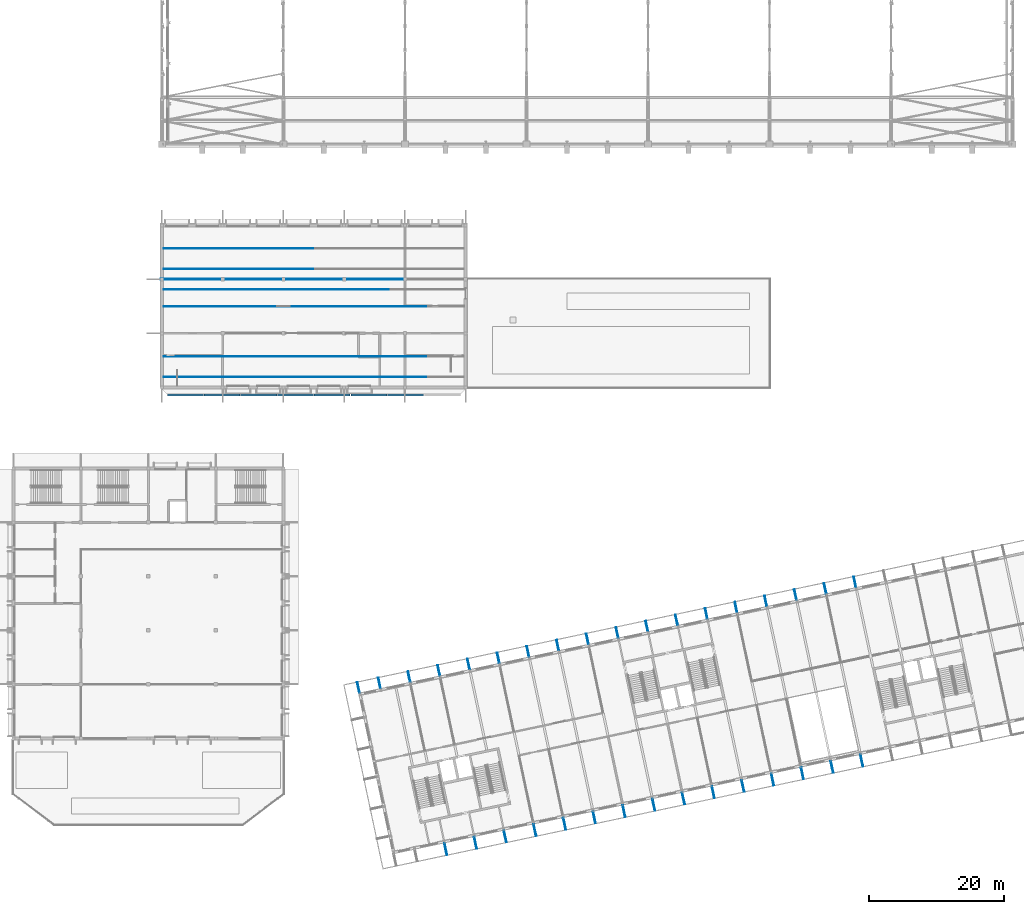
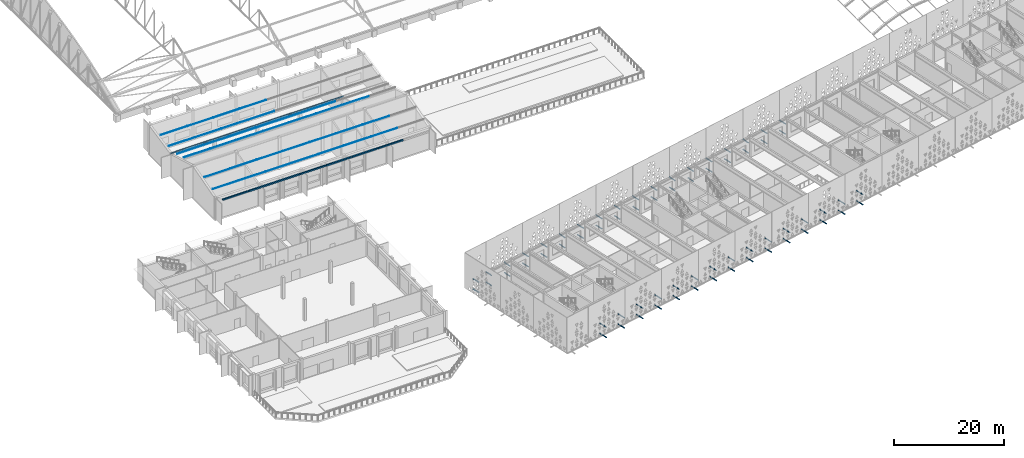
# One storey, part 133 of 196: 112 discrete accessories.
"""IFC4 building model written with IfcOpenShell, lengths in metres."""

from ifc_helpers import new_model, si_unit, direction, frame, origin, origin_2d, place, context, subcontext, project, spatial, polyline, rectangle, outline, extrude, material, material_profile, profile_set, type_object, element, save


model = new_model("IFC4")

# Units and contexts
model_context = context("Model", 3, precision=1e-05, world=origin(), true_north=direction((0.0, 1.0)))
body_context = subcontext(model_context, "Body", "Model", "MODEL_VIEW")
ifc_project = project(units=[si_unit("LENGTHUNIT", "METRE"), si_unit("AREAUNIT", "SQUARE_METRE"), si_unit("VOLUMEUNIT", "CUBIC_METRE"), si_unit("PLANEANGLEUNIT", "RADIAN"), si_unit("MASSUNIT", "GRAM", prefix="KILO")], contexts=[model_context])

# Site, building, storey
site_placement = place(None, origin())
site = spatial("IfcSite", under=ifc_project, at=site_placement, CompositionType="ELEMENT")
building_placement = place(site_placement, origin())
building = spatial("IfcBuilding", under=site, at=building_placement, Name="Okhra Congress Centre", CompositionType="ELEMENT")
storey_placement = place(building_placement, frame((0.0, 0.0, 12.0)))
storey = spatial("IfcBuildingStorey", under=building, at=storey_placement, Name="L02", CompositionType="ELEMENT", Elevation=12.0)

# Discrete accessories
ifc_material_1 = material(Name="Stainless steel box gutter with self-regulating heating cable", Category="steel")
discrete_accessory_type_1 = type_object("IfcDiscreteAccessoryType", Name="Heated eaves gutter 300x300", PredefinedType="USERDEFINED", material=ifc_material_1)
for number, where, z_axis, x_axis, name in (
    (1, (31.46875, 94.85009765625, 4.51318359375), (0.0, 0.0, 1.0), (1.0, 0.0, 0.0), "Heated eaves gutter"),
    (2, (36.90625, 94.85009765625, 4.51318359375), (0.0, 0.0, 1.0), (1.0, 0.0, 0.0), "Heated eaves gutter"),
    (3, (42.34375, 94.85009765625, 4.51318359375), (0.0, 0.0, 1.0), (1.0, 0.0, 0.0), "Heated eaves gutter"),
    (4, (47.78125, 94.85009765625, 4.51318359375), (0.0, 0.0, 1.0), (1.0, 0.0, 0.0), "Heated eaves gutter"),
    (5, (53.21875, 94.85009765625, 4.51318359375), (0.0, 0.0, 1.0), (1.0, 0.0, 0.0), "Heated eaves gutter"),
    (6, (58.65625, 94.85009765625, 4.51318359375), (0.0, 0.0, 1.0), (1.0, 0.0, 0.0), "Heated eaves gutter"),
    (7, (64.09375, 94.85009765625, 4.51318359375), (0.0, 0.0, 1.0), (1.0, 0.0, 0.0), "Heated eaves gutter"),
):
    element("IfcDiscreteAccessory", number, at=place(storey_placement, frame(where, z_axis=z_axis, x_axis=x_axis)), inside=storey, type_object=discrete_accessory_type_1, Name=name, ObjectType="HEATED GUTTER", PredefinedType="USERDEFINED", context=body_context, shape_type="SweptSolid", body=[
        extrude(rectangle(XDim=5.33740234375, YDim=0.300048828125, at=origin_2d()), origin(), (0.0, 0.0, 1.0), 0.300048828125),
    ])
discrete_accessory_type_2 = type_object("IfcDiscreteAccessoryType", Name="Heated valley gutter 140x200", PredefinedType="USERDEFINED", material=ifc_material_1)
for number, where, z_axis, x_axis, name in (
    (8, (32.300048828125, 112.0, 4.7998046875), (0.0, 0.0, 1.0), (1.0, 0.0, 0.0), "Heated valley gutter"),
    (9, (41.39990234375, 112.0, 4.7998046875), (0.0, 0.0, 1.0), (1.0, 0.0, 0.0), "Heated valley gutter"),
    (10, (50.5, 112.0, 4.7998046875), (0.0, 0.0, 1.0), (1.0, 0.0, 0.0), "Heated valley gutter"),
    (11, (59.60009765625, 112.0, 4.7998046875), (0.0, 0.0, 1.0), (1.0, 0.0, 0.0), "Heated valley gutter"),
):
    element("IfcDiscreteAccessory", number, at=place(storey_placement, frame(where, z_axis=z_axis, x_axis=x_axis)), inside=storey, type_object=discrete_accessory_type_2, Name=name, ObjectType="HEATED GUTTER", PredefinedType="USERDEFINED", context=body_context, shape_type="SweptSolid", body=[
        extrude(rectangle(XDim=9.0, YDim=0.139892578125, at=origin_2d()), origin(), (0.0, 0.0, 1.0), 0.199951171875),
    ])
ifc_material_2 = material(Name="Steel S355J2 outrigger, galvanised", Category="steel")
ifc_material_profile = material_profile(ifc_material_2, rectangle(XDim=0.1201171875, YDim=0.1201171875, at=origin_2d()), Name="Screen outrigger bracket 120x120")
ifc_profile_set = profile_set([ifc_material_profile], Name="Steel S355J2 outrigger, galvanised")
discrete_accessory_type_3 = type_object("IfcDiscreteAccessoryType", Name="Screen outrigger bracket 120x120", PredefinedType="BRACKET", material=ifc_profile_set)
for number, where, z_axis, x_axis, name in (
    (12, (57.271484375, 50.775390625, 0.81005859375), (-0.207952044176, 0.978139022493, 0.0), (-0.978139022493, -0.207952044176, 0.0), "Screen outrigger 11"),
    (13, (57.271484375, 50.775390625, 3.070068359375), (-0.207952044176, 0.978139022493, 0.0), (-0.978139022493, -0.207952044176, 0.0), "Screen outrigger 12"),
    (14, (60.376953125, 51.435546875, 0.81005859375), (-0.207802780084, 0.978170744088, 0.0), (-0.978170744088, -0.207802780084, 0.0), "Screen outrigger 26"),
    (15, (60.376953125, 51.435546875, 3.070068359375), (-0.207802780084, 0.978170744088, 0.0), (-0.978170744088, -0.207802780084, 0.0), "Screen outrigger 27"),
):
    element("IfcDiscreteAccessory", number, at=place(storey_placement, frame(where, z_axis=z_axis, x_axis=x_axis)), inside=storey, type_object=discrete_accessory_type_3, Name=name, PredefinedType="BRACKET", context=body_context, shape_type="SweptSolid", body=[
        extrude(rectangle(XDim=0.1201171875, YDim=0.1201171875, at=origin_2d()), origin(), (0.0, 0.0, 1.0), 1.56494140625),
    ])
for number, where, z_axis, x_axis, name in (
    (16, (69.860107421875, 28.46533203125, 0.81005859375), (0.207885223274, -0.97815322621, 0.0), (0.97815322621, 0.207885223274, 0.0), "Screen outrigger 33"),
    (17, (69.860107421875, 28.46533203125, 3.070068359375), (0.207885223274, -0.97815322621, 0.0), (0.97815322621, 0.207885223274, 0.0), "Screen outrigger 34"),
):
    element("IfcDiscreteAccessory", number, at=place(storey_placement, frame(where, z_axis=z_axis, x_axis=x_axis)), inside=storey, type_object=discrete_accessory_type_3, Name=name, PredefinedType="BRACKET", context=body_context, shape_type="SweptSolid", body=[
        extrude(rectangle(XDim=0.1201171875, YDim=0.1201171875, at=origin_2d()), origin(), (0.0, 0.0, 1.0), 1.76513671875),
    ])
for number, where, z_axis, x_axis, name in (
    (18, (64.77880859375, 52.37109375, 0.81005859375), (-0.207920316953, 0.978145767152, 0.0), (-0.978145767152, -0.207920316953, 0.0), "Screen outrigger 41"),
    (19, (64.77880859375, 52.37109375, 3.070068359375), (-0.207920316953, 0.978145767152, 0.0), (-0.978145767152, -0.207920316953, 0.0), "Screen outrigger 42"),
):
    element("IfcDiscreteAccessory", number, at=place(storey_placement, frame(where, z_axis=z_axis, x_axis=x_axis)), inside=storey, type_object=discrete_accessory_type_3, Name=name, PredefinedType="BRACKET", context=body_context, shape_type="SweptSolid", body=[
        extrude(rectangle(XDim=0.1201171875, YDim=0.1201171875, at=origin_2d()), origin(), (0.0, 0.0, 1.0), 1.565185546875),
    ])
for number, where, z_axis, x_axis, name in (
    (20, (74.26171875, 29.40087890625, 0.81005859375), (0.207885223274, -0.97815322621, 0.0), (0.97815322621, 0.207885223274, 0.0), "Screen outrigger 48"),
    (21, (74.26171875, 29.40087890625, 3.070068359375), (0.207885223274, -0.97815322621, 0.0), (0.97815322621, 0.207885223274, 0.0), "Screen outrigger 49"),
):
    element("IfcDiscreteAccessory", number, at=place(storey_placement, frame(where, z_axis=z_axis, x_axis=x_axis)), inside=storey, type_object=discrete_accessory_type_3, Name=name, PredefinedType="BRACKET", context=body_context, shape_type="SweptSolid", body=[
        extrude(rectangle(XDim=0.1201171875, YDim=0.1201171875, at=origin_2d()), origin(), (0.0, 0.0, 1.0), 1.76513671875),
    ])
for number, where, z_axis, x_axis, name in (
    (22, (69.180419921875, 53.306884765625, 0.81005859375), (-0.207952044176, 0.978139022493, 0.0), (-0.978139022493, -0.207952044176, 0.0), "Screen outrigger 56"),
    (23, (69.180419921875, 53.306884765625, 3.070068359375), (-0.207952044176, 0.978139022493, 0.0), (-0.978139022493, -0.207952044176, 0.0), "Screen outrigger 57"),
):
    element("IfcDiscreteAccessory", number, at=place(storey_placement, frame(where, z_axis=z_axis, x_axis=x_axis)), inside=storey, type_object=discrete_accessory_type_3, Name=name, PredefinedType="BRACKET", context=body_context, shape_type="SweptSolid", body=[
        extrude(rectangle(XDim=0.1201171875, YDim=0.1201171875, at=origin_2d()), origin(), (0.0, 0.0, 1.0), 1.56494140625),
    ])
for number, where, z_axis, x_axis, name in (
    (24, (78.663330078125, 30.33642578125, 0.81005859375), (0.207913352163, -0.978147247602, 0.0), (0.978147247602, 0.207913352163, 0.0), "Screen outrigger 63"),
    (25, (78.663330078125, 30.33642578125, 3.070068359375), (0.207913352163, -0.978147247602, 0.0), (0.978147247602, 0.207913352163, 0.0), "Screen outrigger 64"),
):
    element("IfcDiscreteAccessory", number, at=place(storey_placement, frame(where, z_axis=z_axis, x_axis=x_axis)), inside=storey, type_object=discrete_accessory_type_3, Name=name, PredefinedType="BRACKET", context=body_context, shape_type="SweptSolid", body=[
        extrude(rectangle(XDim=0.1201171875, YDim=0.1201171875, at=origin_2d()), origin(), (0.0, 0.0, 1.0), 1.764892578125),
    ])
for number, where, z_axis, x_axis, name in (
    (26, (73.58203125, 54.242431640625, 0.81005859375), (-0.207952044176, 0.978139022493, 0.0), (-0.978139022493, -0.207952044176, 0.0), "Screen outrigger 71"),
    (27, (73.58203125, 54.242431640625, 3.070068359375), (-0.207952044176, 0.978139022493, 0.0), (-0.978139022493, -0.207952044176, 0.0), "Screen outrigger 72"),
):
    element("IfcDiscreteAccessory", number, at=place(storey_placement, frame(where, z_axis=z_axis, x_axis=x_axis)), inside=storey, type_object=discrete_accessory_type_3, Name=name, PredefinedType="BRACKET", context=body_context, shape_type="SweptSolid", body=[
        extrude(rectangle(XDim=0.1201171875, YDim=0.1201171875, at=origin_2d()), origin(), (0.0, 0.0, 1.0), 1.56494140625),
    ])
for number, where, z_axis, x_axis, name in (
    (28, (83.06494140625, 31.27197265625, 0.81005859375), (0.208045698869, -0.978119106849, 0.0), (0.978119106849, 0.208045698869, 0.0), "Screen outrigger 78"),
    (29, (83.06494140625, 31.27197265625, 3.070068359375), (0.208045698869, -0.978119106849, 0.0), (0.978119106849, 0.208045698869, 0.0), "Screen outrigger 79"),
):
    element("IfcDiscreteAccessory", number, at=place(storey_placement, frame(where, z_axis=z_axis, x_axis=x_axis)), inside=storey, type_object=discrete_accessory_type_3, Name=name, PredefinedType="BRACKET", context=body_context, shape_type="SweptSolid", body=[
        extrude(rectangle(XDim=0.1201171875, YDim=0.1201171875, at=origin_2d()), origin(), (0.0, 0.0, 1.0), 1.764892578125),
    ])
for number, where, z_axis, x_axis, name in (
    (30, (77.983642578125, 55.177978515625, 0.81005859375), (-0.207952044176, 0.978139022493, 0.0), (-0.978139022493, -0.207952044176, 0.0), "Screen outrigger 86"),
    (31, (77.983642578125, 55.177978515625, 3.070068359375), (-0.207952044176, 0.978139022493, 0.0), (-0.978139022493, -0.207952044176, 0.0), "Screen outrigger 87"),
):
    element("IfcDiscreteAccessory", number, at=place(storey_placement, frame(where, z_axis=z_axis, x_axis=x_axis)), inside=storey, type_object=discrete_accessory_type_3, Name=name, PredefinedType="BRACKET", context=body_context, shape_type="SweptSolid", body=[
        extrude(rectangle(XDim=0.1201171875, YDim=0.1201171875, at=origin_2d()), origin(), (0.0, 0.0, 1.0), 1.56494140625),
    ])
for number, where, z_axis, x_axis, name in (
    (32, (87.466796875, 32.207763671875, 0.81005859375), (0.207885223274, -0.97815322621, 0.0), (0.97815322621, 0.207885223274, 0.0), "Screen outrigger 94"),
    (33, (87.466796875, 32.207763671875, 3.070068359375), (0.207885223274, -0.97815322621, 0.0), (0.97815322621, 0.207885223274, 0.0), "Screen outrigger 95"),
):
    element("IfcDiscreteAccessory", number, at=place(storey_placement, frame(where, z_axis=z_axis, x_axis=x_axis)), inside=storey, type_object=discrete_accessory_type_3, Name=name, PredefinedType="BRACKET", context=body_context, shape_type="SweptSolid", body=[
        extrude(rectangle(XDim=0.1201171875, YDim=0.1201171875, at=origin_2d()), origin(), (0.0, 0.0, 1.0), 1.76513671875),
    ])
for number, where, z_axis, x_axis, name in (
    (34, (82.38525390625, 56.113525390625, 0.81005859375), (-0.207802780084, 0.978170744088, 0.0), (-0.978170744088, -0.207802780084, 0.0), "Screen outrigger 102"),
    (35, (82.38525390625, 56.113525390625, 3.070068359375), (-0.207802780084, 0.978170744088, 0.0), (-0.978170744088, -0.207802780084, 0.0), "Screen outrigger 103"),
):
    element("IfcDiscreteAccessory", number, at=place(storey_placement, frame(where, z_axis=z_axis, x_axis=x_axis)), inside=storey, type_object=discrete_accessory_type_3, Name=name, PredefinedType="BRACKET", context=body_context, shape_type="SweptSolid", body=[
        extrude(rectangle(XDim=0.1201171875, YDim=0.1201171875, at=origin_2d()), origin(), (0.0, 0.0, 1.0), 1.56494140625),
    ])
for number, where, z_axis, x_axis, name in (
    (36, (91.868408203125, 33.143310546875, 0.81005859375), (0.207885223274, -0.97815322621, 0.0), (0.97815322621, 0.207885223274, 0.0), "Screen outrigger 110"),
    (37, (91.868408203125, 33.143310546875, 3.070068359375), (0.207885223274, -0.97815322621, 0.0), (0.97815322621, 0.207885223274, 0.0), "Screen outrigger 111"),
):
    element("IfcDiscreteAccessory", number, at=place(storey_placement, frame(where, z_axis=z_axis, x_axis=x_axis)), inside=storey, type_object=discrete_accessory_type_3, Name=name, PredefinedType="BRACKET", context=body_context, shape_type="SweptSolid", body=[
        extrude(rectangle(XDim=0.1201171875, YDim=0.1201171875, at=origin_2d()), origin(), (0.0, 0.0, 1.0), 1.76513671875),
    ])
for number, where, z_axis, x_axis, name in (
    (38, (86.787109375, 57.049072265625, 0.81005859375), (-0.207920316953, 0.978145767152, 0.0), (-0.978145767152, -0.207920316953, 0.0), "Screen outrigger 118"),
    (39, (86.787109375, 57.049072265625, 3.070068359375), (-0.207920316953, 0.978145767152, 0.0), (-0.978145767152, -0.207920316953, 0.0), "Screen outrigger 119"),
):
    element("IfcDiscreteAccessory", number, at=place(storey_placement, frame(where, z_axis=z_axis, x_axis=x_axis)), inside=storey, type_object=discrete_accessory_type_3, Name=name, PredefinedType="BRACKET", context=body_context, shape_type="SweptSolid", body=[
        extrude(rectangle(XDim=0.1201171875, YDim=0.1201171875, at=origin_2d()), origin(), (0.0, 0.0, 1.0), 1.565185546875),
    ])
for number, where, z_axis, x_axis, name in (
    (40, (96.27001953125, 34.078857421875, 0.81005859375), (0.207913352163, -0.978147247602, 0.0), (0.978147247602, 0.207913352163, 0.0), "Screen outrigger 126"),
    (41, (96.27001953125, 34.078857421875, 3.070068359375), (0.207913352163, -0.978147247602, 0.0), (0.978147247602, 0.207913352163, 0.0), "Screen outrigger 127"),
):
    element("IfcDiscreteAccessory", number, at=place(storey_placement, frame(where, z_axis=z_axis, x_axis=x_axis)), inside=storey, type_object=discrete_accessory_type_3, Name=name, PredefinedType="BRACKET", context=body_context, shape_type="SweptSolid", body=[
        extrude(rectangle(XDim=0.1201171875, YDim=0.1201171875, at=origin_2d()), origin(), (0.0, 0.0, 1.0), 1.764892578125),
    ])
for number, where, z_axis, x_axis, name in (
    (42, (91.188720703125, 57.98486328125, 0.81005859375), (-0.207952044176, 0.978139022493, 0.0), (-0.978139022493, -0.207952044176, 0.0), "Screen outrigger 134"),
    (43, (91.188720703125, 57.98486328125, 3.070068359375), (-0.207952044176, 0.978139022493, 0.0), (-0.978139022493, -0.207952044176, 0.0), "Screen outrigger 135"),
):
    element("IfcDiscreteAccessory", number, at=place(storey_placement, frame(where, z_axis=z_axis, x_axis=x_axis)), inside=storey, type_object=discrete_accessory_type_3, Name=name, PredefinedType="BRACKET", context=body_context, shape_type="SweptSolid", body=[
        extrude(rectangle(XDim=0.1201171875, YDim=0.1201171875, at=origin_2d()), origin(), (0.0, 0.0, 1.0), 1.56494140625),
    ])
for number, where, z_axis, x_axis, name in (
    (44, (100.671630859375, 35.014404296875, 0.81005859375), (0.207913352163, -0.978147247602, 0.0), (0.978147247602, 0.207913352163, 0.0), "Screen outrigger 142"),
    (45, (100.671630859375, 35.014404296875, 3.070068359375), (0.207913352163, -0.978147247602, 0.0), (0.978147247602, 0.207913352163, 0.0), "Screen outrigger 143"),
):
    element("IfcDiscreteAccessory", number, at=place(storey_placement, frame(where, z_axis=z_axis, x_axis=x_axis)), inside=storey, type_object=discrete_accessory_type_3, Name=name, PredefinedType="BRACKET", context=body_context, shape_type="SweptSolid", body=[
        extrude(rectangle(XDim=0.1201171875, YDim=0.1201171875, at=origin_2d()), origin(), (0.0, 0.0, 1.0), 1.764892578125),
    ])
for number, where, z_axis, x_axis, name in (
    (46, (95.59033203125, 58.92041015625, 0.81005859375), (-0.207952044176, 0.978139022493, 0.0), (-0.978139022493, -0.207952044176, 0.0), "Screen outrigger 151"),
    (47, (95.59033203125, 58.92041015625, 3.070068359375), (-0.207952044176, 0.978139022493, 0.0), (-0.978139022493, -0.207952044176, 0.0), "Screen outrigger 152"),
):
    element("IfcDiscreteAccessory", number, at=place(storey_placement, frame(where, z_axis=z_axis, x_axis=x_axis)), inside=storey, type_object=discrete_accessory_type_3, Name=name, PredefinedType="BRACKET", context=body_context, shape_type="SweptSolid", body=[
        extrude(rectangle(XDim=0.1201171875, YDim=0.1201171875, at=origin_2d()), origin(), (0.0, 0.0, 1.0), 1.56494140625),
    ])
for number, where, z_axis, x_axis, name in (
    (48, (105.073486328125, 35.949951171875, 0.81005859375), (0.207913352163, -0.978147247602, 0.0), (0.978147247602, 0.207913352163, 0.0), "Screen outrigger 159"),
    (49, (105.073486328125, 35.949951171875, 3.070068359375), (0.207913352163, -0.978147247602, 0.0), (0.978147247602, 0.207913352163, 0.0), "Screen outrigger 160"),
):
    element("IfcDiscreteAccessory", number, at=place(storey_placement, frame(where, z_axis=z_axis, x_axis=x_axis)), inside=storey, type_object=discrete_accessory_type_3, Name=name, PredefinedType="BRACKET", context=body_context, shape_type="SweptSolid", body=[
        extrude(rectangle(XDim=0.1201171875, YDim=0.1201171875, at=origin_2d()), origin(), (0.0, 0.0, 1.0), 1.764892578125),
    ])
for number, where, z_axis, x_axis, name in (
    (50, (99.991943359375, 59.85595703125, 0.81005859375), (-0.207802780084, 0.978170744088, 0.0), (-0.978170744088, -0.207802780084, 0.0), "Screen outrigger 168"),
    (51, (99.991943359375, 59.85595703125, 3.070068359375), (-0.207802780084, 0.978170744088, 0.0), (-0.978170744088, -0.207802780084, 0.0), "Screen outrigger 169"),
):
    element("IfcDiscreteAccessory", number, at=place(storey_placement, frame(where, z_axis=z_axis, x_axis=x_axis)), inside=storey, type_object=discrete_accessory_type_3, Name=name, PredefinedType="BRACKET", context=body_context, shape_type="SweptSolid", body=[
        extrude(rectangle(XDim=0.1201171875, YDim=0.1201171875, at=origin_2d()), origin(), (0.0, 0.0, 1.0), 1.56494140625),
    ])
for number, where, z_axis, x_axis, name in (
    (52, (109.47509765625, 36.8857421875, 0.81005859375), (0.207885223274, -0.97815322621, 0.0), (0.97815322621, 0.207885223274, 0.0), "Screen outrigger 176"),
    (53, (109.47509765625, 36.8857421875, 3.070068359375), (0.207885223274, -0.97815322621, 0.0), (0.97815322621, 0.207885223274, 0.0), "Screen outrigger 177"),
):
    element("IfcDiscreteAccessory", number, at=place(storey_placement, frame(where, z_axis=z_axis, x_axis=x_axis)), inside=storey, type_object=discrete_accessory_type_3, Name=name, PredefinedType="BRACKET", context=body_context, shape_type="SweptSolid", body=[
        extrude(rectangle(XDim=0.1201171875, YDim=0.1201171875, at=origin_2d()), origin(), (0.0, 0.0, 1.0), 1.76513671875),
    ])
for number, where, z_axis, x_axis, name in (
    (54, (104.3935546875, 60.79150390625, 0.81005859375), (-0.207771073578, 0.978177479287, 0.0), (-0.978177479287, -0.207771073578, 0.0), "Screen outrigger 185"),
    (55, (104.3935546875, 60.79150390625, 3.070068359375), (-0.207771073578, 0.978177479287, 0.0), (-0.978177479287, -0.207771073578, 0.0), "Screen outrigger 186"),
):
    element("IfcDiscreteAccessory", number, at=place(storey_placement, frame(where, z_axis=z_axis, x_axis=x_axis)), inside=storey, type_object=discrete_accessory_type_3, Name=name, PredefinedType="BRACKET", context=body_context, shape_type="SweptSolid", body=[
        extrude(rectangle(XDim=0.1201171875, YDim=0.1201171875, at=origin_2d()), origin(), (0.0, 0.0, 1.0), 1.565185546875),
    ])
for number, where, z_axis, x_axis, name in (
    (56, (113.876708984375, 37.8212890625, 0.81005859375), (0.207885223274, -0.97815322621, 0.0), (0.97815322621, 0.207885223274, 0.0), "Screen outrigger 193"),
    (57, (113.876708984375, 37.8212890625, 3.070068359375), (0.207885223274, -0.97815322621, 0.0), (0.97815322621, 0.207885223274, 0.0), "Screen outrigger 194"),
):
    element("IfcDiscreteAccessory", number, at=place(storey_placement, frame(where, z_axis=z_axis, x_axis=x_axis)), inside=storey, type_object=discrete_accessory_type_3, Name=name, PredefinedType="BRACKET", context=body_context, shape_type="SweptSolid", body=[
        extrude(rectangle(XDim=0.1201171875, YDim=0.1201171875, at=origin_2d()), origin(), (0.0, 0.0, 1.0), 1.76513671875),
    ])
for number, where, z_axis, x_axis, name in (
    (58, (108.79541015625, 61.727294921875, 0.81005859375), (-0.207952044176, 0.978139022493, 0.0), (-0.978139022493, -0.207952044176, 0.0), "Screen outrigger 202"),
    (59, (108.79541015625, 61.727294921875, 3.070068359375), (-0.207952044176, 0.978139022493, 0.0), (-0.978139022493, -0.207952044176, 0.0), "Screen outrigger 203"),
):
    element("IfcDiscreteAccessory", number, at=place(storey_placement, frame(where, z_axis=z_axis, x_axis=x_axis)), inside=storey, type_object=discrete_accessory_type_3, Name=name, PredefinedType="BRACKET", context=body_context, shape_type="SweptSolid", body=[
        extrude(rectangle(XDim=0.1201171875, YDim=0.1201171875, at=origin_2d()), origin(), (0.0, 0.0, 1.0), 1.56494140625),
    ])
for number, where, z_axis, x_axis, name in (
    (60, (118.2783203125, 38.7568359375, 0.81005859375), (0.207913352163, -0.978147247602, 0.0), (0.978147247602, 0.207913352163, 0.0), "Screen outrigger 210"),
    (61, (118.2783203125, 38.7568359375, 3.070068359375), (0.207913352163, -0.978147247602, 0.0), (0.978147247602, 0.207913352163, 0.0), "Screen outrigger 211"),
):
    element("IfcDiscreteAccessory", number, at=place(storey_placement, frame(where, z_axis=z_axis, x_axis=x_axis)), inside=storey, type_object=discrete_accessory_type_3, Name=name, PredefinedType="BRACKET", context=body_context, shape_type="SweptSolid", body=[
        extrude(rectangle(XDim=0.1201171875, YDim=0.1201171875, at=origin_2d()), origin(), (0.0, 0.0, 1.0), 1.764892578125),
    ])
for number, where, z_axis, x_axis, name in (
    (62, (113.197021484375, 62.662841796875, 0.81005859375), (-0.207952044176, 0.978139022493, 0.0), (-0.978139022493, -0.207952044176, 0.0), "Screen outrigger 219"),
    (63, (113.197021484375, 62.662841796875, 3.070068359375), (-0.207952044176, 0.978139022493, 0.0), (-0.978139022493, -0.207952044176, 0.0), "Screen outrigger 220"),
):
    element("IfcDiscreteAccessory", number, at=place(storey_placement, frame(where, z_axis=z_axis, x_axis=x_axis)), inside=storey, type_object=discrete_accessory_type_3, Name=name, PredefinedType="BRACKET", context=body_context, shape_type="SweptSolid", body=[
        extrude(rectangle(XDim=0.1201171875, YDim=0.1201171875, at=origin_2d()), origin(), (0.0, 0.0, 1.0), 1.56494140625),
    ])
for number, where, z_axis, x_axis, name in (
    (64, (122.679931640625, 39.6923828125, 0.81005859375), (0.207913352163, -0.978147247602, 0.0), (0.978147247602, 0.207913352163, 0.0), "Screen outrigger 227"),
    (65, (122.679931640625, 39.6923828125, 3.070068359375), (0.207913352163, -0.978147247602, 0.0), (0.978147247602, 0.207913352163, 0.0), "Screen outrigger 228"),
):
    element("IfcDiscreteAccessory", number, at=place(storey_placement, frame(where, z_axis=z_axis, x_axis=x_axis)), inside=storey, type_object=discrete_accessory_type_3, Name=name, PredefinedType="BRACKET", context=body_context, shape_type="SweptSolid", body=[
        extrude(rectangle(XDim=0.1201171875, YDim=0.1201171875, at=origin_2d()), origin(), (0.0, 0.0, 1.0), 1.764892578125),
    ])
for number, where, z_axis, x_axis, name in (
    (66, (117.5986328125, 63.598388671875, 0.81005859375), (-0.207952044176, 0.978139022493, 0.0), (-0.978139022493, -0.207952044176, 0.0), "Screen outrigger 236"),
    (67, (117.5986328125, 63.598388671875, 3.070068359375), (-0.207952044176, 0.978139022493, 0.0), (-0.978139022493, -0.207952044176, 0.0), "Screen outrigger 237"),
):
    element("IfcDiscreteAccessory", number, at=place(storey_placement, frame(where, z_axis=z_axis, x_axis=x_axis)), inside=storey, type_object=discrete_accessory_type_3, Name=name, PredefinedType="BRACKET", context=body_context, shape_type="SweptSolid", body=[
        extrude(rectangle(XDim=0.1201171875, YDim=0.1201171875, at=origin_2d()), origin(), (0.0, 0.0, 1.0), 1.56494140625),
    ])
for number, where, z_axis, x_axis, name in (
    (68, (127.081787109375, 40.628173828125, 0.81005859375), (0.207885223274, -0.97815322621, 0.0), (0.97815322621, 0.207885223274, 0.0), "Screen outrigger 245"),
    (69, (127.081787109375, 40.628173828125, 3.070068359375), (0.207885223274, -0.97815322621, 0.0), (0.97815322621, 0.207885223274, 0.0), "Screen outrigger 246"),
):
    element("IfcDiscreteAccessory", number, at=place(storey_placement, frame(where, z_axis=z_axis, x_axis=x_axis)), inside=storey, type_object=discrete_accessory_type_3, Name=name, PredefinedType="BRACKET", context=body_context, shape_type="SweptSolid", body=[
        extrude(rectangle(XDim=0.1201171875, YDim=0.1201171875, at=origin_2d()), origin(), (0.0, 0.0, 1.0), 1.76513671875),
    ])
for number, where, z_axis, x_axis, name in (
    (70, (122.000244140625, 64.533935546875, 0.81005859375), (-0.207802780084, 0.978170744088, 0.0), (-0.978170744088, -0.207802780084, 0.0), "Screen outrigger 254"),
    (71, (122.000244140625, 64.533935546875, 3.070068359375), (-0.207802780084, 0.978170744088, 0.0), (-0.978170744088, -0.207802780084, 0.0), "Screen outrigger 255"),
):
    element("IfcDiscreteAccessory", number, at=place(storey_placement, frame(where, z_axis=z_axis, x_axis=x_axis)), inside=storey, type_object=discrete_accessory_type_3, Name=name, PredefinedType="BRACKET", context=body_context, shape_type="SweptSolid", body=[
        extrude(rectangle(XDim=0.1201171875, YDim=0.1201171875, at=origin_2d()), origin(), (0.0, 0.0, 1.0), 1.56494140625),
    ])
for number, where, z_axis, x_axis, name in (
    (72, (131.4833984375, 41.563720703125, 0.81005859375), (0.207885223274, -0.97815322621, 0.0), (0.97815322621, 0.207885223274, 0.0), "Screen outrigger 263"),
    (73, (131.4833984375, 41.563720703125, 3.070068359375), (0.207885223274, -0.97815322621, 0.0), (0.97815322621, 0.207885223274, 0.0), "Screen outrigger 264"),
):
    element("IfcDiscreteAccessory", number, at=place(storey_placement, frame(where, z_axis=z_axis, x_axis=x_axis)), inside=storey, type_object=discrete_accessory_type_3, Name=name, PredefinedType="BRACKET", context=body_context, shape_type="SweptSolid", body=[
        extrude(rectangle(XDim=0.1201171875, YDim=0.1201171875, at=origin_2d()), origin(), (0.0, 0.0, 1.0), 1.76513671875),
    ])
for number, where, z_axis, x_axis, name in (
    (74, (126.402099609375, 65.4697265625, 0.81005859375), (-0.207952044176, 0.978139022493, 0.0), (-0.978139022493, -0.207952044176, 0.0), "Screen outrigger 272"),
    (75, (126.402099609375, 65.4697265625, 3.070068359375), (-0.207952044176, 0.978139022493, 0.0), (-0.978139022493, -0.207952044176, 0.0), "Screen outrigger 273"),
    (76, (130.8037109375, 66.4052734375, 0.81005859375), (-0.207952044176, 0.978139022493, 0.0), (-0.978139022493, -0.207952044176, 0.0), "Screen outrigger 290"),
    (77, (130.8037109375, 66.4052734375, 3.070068359375), (-0.207952044176, 0.978139022493, 0.0), (-0.978139022493, -0.207952044176, 0.0), "Screen outrigger 291"),
):
    element("IfcDiscreteAccessory", number, at=place(storey_placement, frame(where, z_axis=z_axis, x_axis=x_axis)), inside=storey, type_object=discrete_accessory_type_3, Name=name, PredefinedType="BRACKET", context=body_context, shape_type="SweptSolid", body=[
        extrude(rectangle(XDim=0.1201171875, YDim=0.1201171875, at=origin_2d()), origin(), (0.0, 0.0, 1.0), 1.56494140625),
    ])
ifc_material_3 = material(Name="Stainless steel snow retention bar clamped to the standing seams", Category="steel")
discrete_accessory_type_4 = type_object("IfcDiscreteAccessoryType", Name="Snow guard bar 40x120", PredefinedType="USERDEFINED", material=ifc_material_3)
for number, where, z_axis, x_axis, name in (
    (78, (28.300048828125, 97.5, 5.60693359375), (0.0, -0.27549521247, 0.961302443514), (1.0, 0.0, 0.0), "Snow guard bar"),
    (79, (33.862548828125, 97.5, 5.60693359375), (0.0, -0.27549521247, 0.961302443514), (1.0, 0.0, 0.0), "Snow guard bar"),
    (80, (39.425048828125, 97.5, 5.60693359375), (0.0, -0.27549521247, 0.961302443514), (1.0, 0.0, 0.0), "Snow guard bar"),
    (81, (44.987548828125, 97.5, 5.60693359375), (0.0, -0.27549521247, 0.961302443514), (1.0, 0.0, 0.0), "Snow guard bar"),
    (82, (50.550048828125, 97.5, 5.60693359375), (0.0, -0.27549521247, 0.961302443514), (1.0, 0.0, 0.0), "Snow guard bar"),
    (83, (56.112548828125, 97.5, 5.60693359375), (0.0, -0.27549521247, 0.961302443514), (1.0, 0.0, 0.0), "Snow guard bar"),
    (84, (61.675048828125, 97.5, 5.60693359375), (0.0, -0.27549521247, 0.961302443514), (1.0, 0.0, 0.0), "Snow guard bar"),
    (85, (28.300048828125, 100.5, 6.46728515625), (0.0, -0.27549521247, 0.961302443514), (1.0, 0.0, 0.0), "Snow guard bar"),
    (86, (33.862548828125, 100.5, 6.46728515625), (0.0, -0.27549521247, 0.961302443514), (1.0, 0.0, 0.0), "Snow guard bar"),
    (87, (39.425048828125, 100.5, 6.46728515625), (0.0, -0.27549521247, 0.961302443514), (1.0, 0.0, 0.0), "Snow guard bar"),
    (88, (44.987548828125, 100.5, 6.46728515625), (0.0, -0.27549521247, 0.961302443514), (1.0, 0.0, 0.0), "Snow guard bar"),
    (89, (50.550048828125, 100.5, 6.46728515625), (0.0, -0.27549521247, 0.961302443514), (1.0, 0.0, 0.0), "Snow guard bar"),
    (90, (56.112548828125, 100.5, 6.46728515625), (0.0, -0.27549521247, 0.961302443514), (1.0, 0.0, 0.0), "Snow guard bar"),
    (91, (61.675048828125, 100.5, 6.46728515625), (0.0, -0.27549521247, 0.961302443514), (1.0, 0.0, 0.0), "Snow guard bar"),
    (92, (28.300048828125, 108.0, 6.32373046875), (0.0, 0.27549521247, 0.961302443514), (1.0, 0.0, 0.0), "Snow guard bar"),
    (93, (33.862548828125, 108.0, 6.32373046875), (0.0, 0.27549521247, 0.961302443514), (1.0, 0.0, 0.0), "Snow guard bar"),
    (94, (39.425048828125, 108.0, 6.32373046875), (0.0, 0.27549521247, 0.961302443514), (1.0, 0.0, 0.0), "Snow guard bar"),
    (95, (44.987548828125, 108.0, 6.32373046875), (0.0, 0.27549521247, 0.961302443514), (1.0, 0.0, 0.0), "Snow guard bar"),
    (96, (50.550048828125, 108.0, 6.32373046875), (0.0, 0.27549521247, 0.961302443514), (1.0, 0.0, 0.0), "Snow guard bar"),
    (97, (56.112548828125, 108.0, 6.32373046875), (0.0, 0.27549521247, 0.961302443514), (1.0, 0.0, 0.0), "Snow guard bar"),
    (98, (61.675048828125, 108.0, 6.32373046875), (0.0, 0.27549521247, 0.961302443514), (1.0, 0.0, 0.0), "Snow guard bar"),
    (99, (28.300048828125, 110.5, 5.60693359375), (0.0, 0.27549521247, 0.961302443514), (1.0, 0.0, 0.0), "Snow guard bar"),
    (100, (33.862548828125, 110.5, 5.60693359375), (0.0, 0.27549521247, 0.961302443514), (1.0, 0.0, 0.0), "Snow guard bar"),
    (101, (39.425048828125, 110.5, 5.60693359375), (0.0, 0.27549521247, 0.961302443514), (1.0, 0.0, 0.0), "Snow guard bar"),
    (102, (44.987548828125, 110.5, 5.60693359375), (0.0, 0.27549521247, 0.961302443514), (1.0, 0.0, 0.0), "Snow guard bar"),
    (103, (50.550048828125, 110.5, 5.60693359375), (0.0, 0.27549521247, 0.961302443514), (1.0, 0.0, 0.0), "Snow guard bar"),
    (104, (56.112548828125, 110.5, 5.60693359375), (0.0, 0.27549521247, 0.961302443514), (1.0, 0.0, 0.0), "Snow guard bar"),
):
    element("IfcDiscreteAccessory", number, at=place(storey_placement, frame(where, z_axis=z_axis, x_axis=x_axis)), inside=storey, type_object=discrete_accessory_type_4, Name=name, ObjectType="SNOW GUARD", PredefinedType="USERDEFINED", context=body_context, shape_type="SweptSolid", body=[
        extrude(outline(polyline([(0.0, 0.0), (5.46240234375, 0.0), (5.46240234375, 0.041650848565038194), (0.0, 0.041650848565038194), (0.0, 0.0)])), origin(), (0.0, 0.0, -1.0), 0.1201171875),
    ])
for number, where, z_axis, x_axis, name in (
    (105, (28.300048828125, 113.5, 5.49267578125), (0.0, -0.208714520349, 0.977976609636), (1.0, 0.0, 0.0), "Snow guard bar"),
    (106, (33.862548828125, 113.5, 5.49267578125), (0.0, -0.208714520349, 0.977976609636), (1.0, 0.0, 0.0), "Snow guard bar"),
    (107, (39.425048828125, 113.5, 5.49267578125), (0.0, -0.208714520349, 0.977976609636), (1.0, 0.0, 0.0), "Snow guard bar"),
    (108, (44.987548828125, 113.5, 5.49267578125), (0.0, -0.208714520349, 0.977976609636), (1.0, 0.0, 0.0), "Snow guard bar"),
    (109, (28.300048828125, 116.5, 6.13037109375), (0.0, -0.208714520349, 0.977976609636), (1.0, 0.0, 0.0), "Snow guard bar"),
    (110, (33.862548828125, 116.5, 6.13037109375), (0.0, -0.208714520349, 0.977976609636), (1.0, 0.0, 0.0), "Snow guard bar"),
    (111, (39.425048828125, 116.5, 6.13037109375), (0.0, -0.208714520349, 0.977976609636), (1.0, 0.0, 0.0), "Snow guard bar"),
    (112, (44.987548828125, 116.5, 6.13037109375), (0.0, -0.208714520349, 0.977976609636), (1.0, 0.0, 0.0), "Snow guard bar"),
):
    element("IfcDiscreteAccessory", number, at=place(storey_placement, frame(where, z_axis=z_axis, x_axis=x_axis)), inside=storey, type_object=discrete_accessory_type_4, Name=name, ObjectType="SNOW GUARD", PredefinedType="USERDEFINED", context=body_context, shape_type="SweptSolid", body=[
        extrude(outline(polyline([(0.0, 0.0), (5.46240234375, 0.0), (5.46240234375, 0.04094071586732161), (0.0, 0.04094071586732161), (0.0, 0.0)])), origin(), (0.0, 0.0, -1.0), 0.1201171875),
    ])

save(model, "model.ifc")
